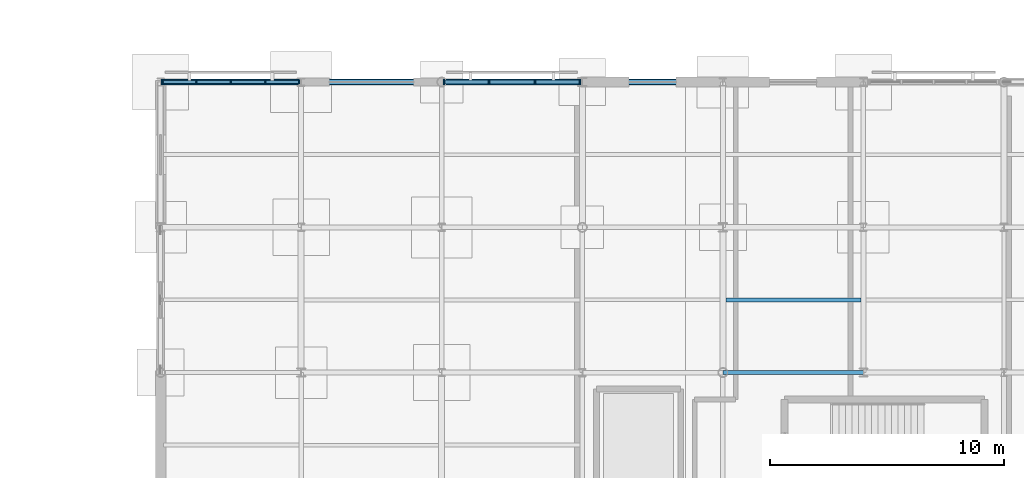
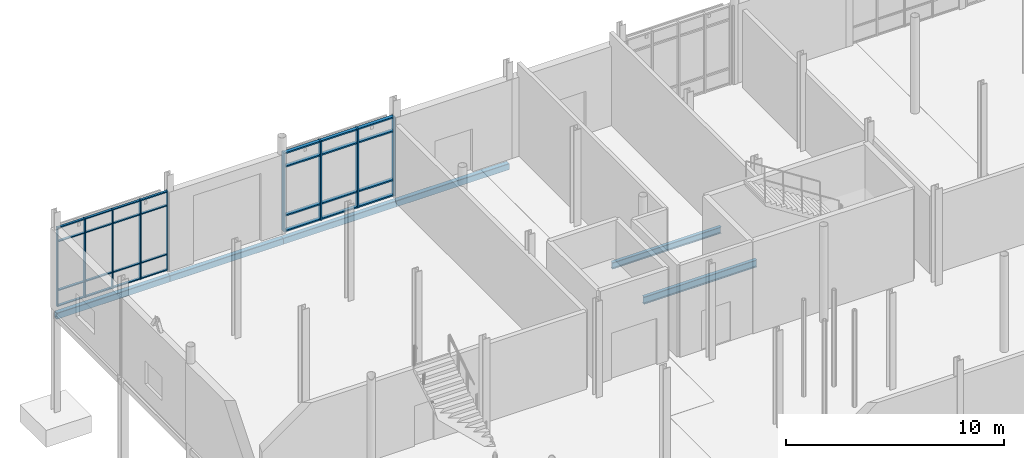
# One storey, part 40 of 98: 37 members, 6 beams, 2 elements without a shape of their own.
"""IFC4 building model written with IfcOpenShell, lengths in metres."""

from ifc_helpers import new_model, si_unit, direction, frame, origin, origin_2d, place, context, subcontext, project, spatial, rectangle, hollow_rectangle, i_section, extrude, material, layer, layer_set, material_profile, profile_set, type_object, element, aggregate, save


model = new_model("IFC4")

# Units and contexts
model_context = context("Model", 3, precision=1e-05, world=origin(), true_north=direction((0.0, 1.0)))
body_context = subcontext(model_context, "Body", "Model", "MODEL_VIEW")
ifc_project = project(units=[si_unit("LENGTHUNIT", "METRE"), si_unit("AREAUNIT", "SQUARE_METRE"), si_unit("VOLUMEUNIT", "CUBIC_METRE"), si_unit("PLANEANGLEUNIT", "RADIAN"), si_unit("MASSUNIT", "GRAM", prefix="KILO")], contexts=[model_context])

# Site, building, storey
site_placement = place(None, origin())
site = spatial("IfcSite", under=ifc_project, at=site_placement, CompositionType="ELEMENT")
building_placement = place(site_placement, origin())
building = spatial("IfcBuilding", under=site, at=building_placement, Name="Mirzam Square Science Centre", CompositionType="ELEMENT")
storey_placement = place(building_placement, origin())
storey = spatial("IfcBuildingStorey", under=building, at=storey_placement, Name="L00", CompositionType="ELEMENT", Elevation=0.0)

# Beam
ifc_material_1 = material(Name="Steel S355", Category="steel")
ifc_material_profile_1 = material_profile(ifc_material_1, i_section(OverallWidth=0.1787109375, OverallDepth=0.409423828125, WebThickness=0.0087890625, FlangeThickness=0.014404296875, FilletRadius=0.01025390625, at=origin_2d()), Name="406x178x67UB")
ifc_profile_set_1 = profile_set([ifc_material_profile_1], Name="Steel S355")
beam_type_1 = type_object("IfcBeamType", Name="BM-UB406", PredefinedType="BEAM", material=ifc_profile_set_1)
beam_1_placement = place(storey_placement, frame((24.0, 68.199951171875, -0.504638671875), z_axis=(1.0, 0.0, 0.0), x_axis=(0.0, 1.0, 0.0)))
element("IfcBeam", 1, at=beam_1_placement, inside=storey, type_object=beam_type_1, Name="L00 girder X5-12", PredefinedType="BEAM", context=body_context, shape_type="SweptSolid", body=[
    extrude(i_section(OverallWidth=0.1787109375, OverallDepth=0.409423828125, WebThickness=0.0087890625, FlangeThickness=0.014404296875, FilletRadius=0.01025390625, at=origin_2d()), origin(), (0.0, 0.0, 1.0), 6.0),
])

# Curtain wall, members
ifc_material_2 = material(Name="Anodised Aluminium and Low-E Solar Glass", Category="aluminium")
ifc_layer_1 = layer(ifc_material_2, 0.159912109375)
ifc_layer_set_1 = layer_set([ifc_layer_1], Name="CW-COURT-B")
curtain_wall_type_1 = type_object("IfcCurtainWallType", Name="CW-COURT-B", PredefinedType="USERDEFINED", material=ifc_layer_set_1)
curtain_wall_1_placement = place(storey_placement, origin())
curtain_wall_1 = element("IfcCurtainWall", 2, at=curtain_wall_1_placement, inside=storey, type_object=curtain_wall_type_1, Name="L00 unitised curtain wall 1", ObjectType="UNITISED CURTAIN WALL", PredefinedType="USERDEFINED")
ifc_material_3 = material(Name="Anodised Architectural Aluminium 6063-T6", Category="aluminium")
ifc_material_profile_2 = material_profile(ifc_material_3, rectangle(XDim=0.06005859375, YDim=0.159912109375, at=origin_2d()), Name="ALU-MULL-160x60x4")
ifc_profile_set_2 = profile_set([ifc_material_profile_2], Name="Anodised Architectural Aluminium 6063-T6")
member_type_1 = type_object("IfcMemberType", Name="CWM-160", PredefinedType="MULLION", material=ifc_profile_set_2)
member_1_placement = place(storey_placement, frame((5.9150390625, 80.60009765625, 0.0), z_axis=(0.0, 0.0, 1.0), x_axis=(-1.0, 0.0, 0.0)))
member_1 = element("IfcMember", 3, at=member_1_placement, type_object=member_type_1, Name="CW-04 mullion 1", PredefinedType="MULLION", context=body_context, shape_type="SweptSolid", body=[
    extrude(rectangle(XDim=0.06005859375, YDim=0.159912109375, at=origin_2d()), origin(), (0.0, 0.0, 1.0), 4.43994140625),
])
member_2_placement = place(storey_placement, frame((4.472412109375, 80.60009765625, 0.0), z_axis=(0.0, 0.0, 1.0), x_axis=(-1.0, 0.0, 0.0)))
member_2 = element("IfcMember", 4, at=member_2_placement, type_object=member_type_1, Name="CW-04 mullion 2", PredefinedType="MULLION", context=body_context, shape_type="SweptSolid", body=[
    extrude(rectangle(XDim=0.06005859375, YDim=0.159912109375, at=origin_2d()), origin(), (0.0, 0.0, 1.0), 4.43994140625),
])
member_3_placement = place(storey_placement, frame((3.0, 80.60009765625, 0.0), z_axis=(0.0, 0.0, 1.0), x_axis=(-1.0, 0.0, 0.0)))
member_3 = element("IfcMember", 5, at=member_3_placement, type_object=member_type_1, Name="CW-04 mullion 3", PredefinedType="MULLION", context=body_context, shape_type="SweptSolid", body=[
    extrude(rectangle(XDim=0.06005859375, YDim=0.159912109375, at=origin_2d()), origin(), (0.0, 0.0, 1.0), 4.43994140625),
])
member_4_placement = place(storey_placement, frame((1.527587890625, 80.60009765625, 0.0), z_axis=(0.0, 0.0, 1.0), x_axis=(-1.0, 0.0, 0.0)))
member_4 = element("IfcMember", 6, at=member_4_placement, type_object=member_type_1, Name="CW-04 mullion 4", PredefinedType="MULLION", context=body_context, shape_type="SweptSolid", body=[
    extrude(rectangle(XDim=0.06005859375, YDim=0.159912109375, at=origin_2d()), origin(), (0.0, 0.0, 1.0), 4.43994140625),
])
member_5_placement = place(storey_placement, frame((0.0849609375, 80.60009765625, 0.0), z_axis=(0.0, 0.0, 1.0), x_axis=(-1.0, 0.0, 0.0)))
member_5 = element("IfcMember", 7, at=member_5_placement, type_object=member_type_1, Name="CW-04 mullion 5", PredefinedType="MULLION", context=body_context, shape_type="SweptSolid", body=[
    extrude(rectangle(XDim=0.06005859375, YDim=0.159912109375, at=origin_2d()), origin(), (0.0, 0.0, 1.0), 4.43994140625),
])

ifc_layer_2 = layer(ifc_material_2, 0.239990234375)
ifc_layer_set_2 = layer_set([ifc_layer_2], Name="CW-EAST-B")
curtain_wall_type_2 = type_object("IfcCurtainWallType", Name="CW-EAST-B", PredefinedType="USERDEFINED", material=ifc_layer_set_2)
curtain_wall_2_placement = place(storey_placement, origin())
curtain_wall_2 = element("IfcCurtainWall", 8, at=curtain_wall_2_placement, inside=storey, type_object=curtain_wall_type_2, Name="L00 unitised curtain wall 2", ObjectType="UNITISED CURTAIN WALL", PredefinedType="USERDEFINED")
ifc_material_profile_3 = material_profile(ifc_material_3, rectangle(XDim=0.074951171875, YDim=0.239990234375, at=origin_2d()), Name="ALU-MULL-240x75x5")
ifc_profile_set_3 = profile_set([ifc_material_profile_3], Name="Anodised Architectural Aluminium 6063-T6")
member_type_2 = type_object("IfcMemberType", Name="CWM-240", PredefinedType="MULLION", material=ifc_profile_set_3)
member_6_placement = place(storey_placement, frame((17.907470703125, 80.60009765625, 0.0), z_axis=(0.0, 0.0, 1.0), x_axis=(-1.0, 0.0, 0.0)))
member_6 = element("IfcMember", 9, at=member_6_placement, type_object=member_type_2, Name="CW-06 mullion 1", PredefinedType="MULLION", context=body_context, shape_type="SweptSolid", body=[
    extrude(rectangle(XDim=0.074951171875, YDim=0.239990234375, at=origin_2d()), origin(), (0.0, 0.0, 1.0), 4.43994140625),
])
member_7_placement = place(storey_placement, frame((15.981689453125, 80.60009765625, 0.0), z_axis=(0.0, 0.0, 1.0), x_axis=(-1.0, 0.0, 0.0)))
member_7 = element("IfcMember", 10, at=member_7_placement, type_object=member_type_2, Name="CW-06 mullion 2", PredefinedType="MULLION", context=body_context, shape_type="SweptSolid", body=[
    extrude(rectangle(XDim=0.074951171875, YDim=0.239990234375, at=origin_2d()), origin(), (0.0, 0.0, 1.0), 4.43994140625),
])
member_8_placement = place(storey_placement, frame((14.018310546875, 80.60009765625, 0.0), z_axis=(0.0, 0.0, 1.0), x_axis=(-1.0, 0.0, 0.0)))
member_8 = element("IfcMember", 11, at=member_8_placement, type_object=member_type_2, Name="CW-06 mullion 3", PredefinedType="MULLION", context=body_context, shape_type="SweptSolid", body=[
    extrude(rectangle(XDim=0.074951171875, YDim=0.239990234375, at=origin_2d()), origin(), (0.0, 0.0, 1.0), 4.43994140625),
])
member_9_placement = place(storey_placement, frame((12.092529296875, 80.60009765625, 0.0), z_axis=(0.0, 0.0, 1.0), x_axis=(-1.0, 0.0, 0.0)))
member_9 = element("IfcMember", 12, at=member_9_placement, type_object=member_type_2, Name="CW-06 mullion 4", PredefinedType="MULLION", context=body_context, shape_type="SweptSolid", body=[
    extrude(rectangle(XDim=0.074951171875, YDim=0.239990234375, at=origin_2d()), origin(), (0.0, 0.0, 1.0), 4.43994140625),
])

# Member
ifc_material_profile_4 = material_profile(ifc_material_3, rectangle(XDim=0.1201171875, YDim=0.06005859375, at=origin_2d()), Name="ALU-TRAN-120x60x4")
ifc_profile_set_4 = profile_set([ifc_material_profile_4], Name="Anodised Architectural Aluminium 6063-T6")
member_type_3 = type_object("IfcMemberType", Name="CWT-120", PredefinedType="USERDEFINED", material=ifc_profile_set_4)
member_10_placement = place(storey_placement, frame((5.885009765625, 80.60009765625, 0.030029296875), z_axis=(-1.0, 0.0, 0.0), x_axis=(0.0, -1.0, 0.0)))
member_10 = element("IfcMember", 13, at=member_10_placement, type_object=member_type_3, Name="CW-04 transom 1.1", ObjectType="TRANSOM", PredefinedType="USERDEFINED", context=body_context, shape_type="SweptSolid", body=[
    extrude(rectangle(XDim=0.1201171875, YDim=0.06005859375, at=origin_2d()), origin(), (0.0, 0.0, 1.0), 1.382568359375),
])

member_11_placement = place(storey_placement, frame((5.885009765625, 80.60009765625, 0.89990234375), z_axis=(-1.0, 0.0, 0.0), x_axis=(0.0, -1.0, 0.0)))
member_11 = element("IfcMember", 14, at=member_11_placement, type_object=member_type_3, Name="CW-04 transom 1.2", ObjectType="TRANSOM", PredefinedType="USERDEFINED", context=body_context, shape_type="SweptSolid", body=[
    extrude(rectangle(XDim=0.1201171875, YDim=0.06005859375, at=origin_2d()), origin(), (0.0, 0.0, 1.0), 1.382568359375),
])

member_12_placement = place(storey_placement, frame((5.885009765625, 80.60009765625, 3.639892578125), z_axis=(-1.0, 0.0, 0.0), x_axis=(0.0, -1.0, 0.0)))
member_12 = element("IfcMember", 15, at=member_12_placement, type_object=member_type_3, Name="CW-04 transom 1.3", ObjectType="TRANSOM", PredefinedType="USERDEFINED", context=body_context, shape_type="SweptSolid", body=[
    extrude(rectangle(XDim=0.1201171875, YDim=0.06005859375, at=origin_2d()), origin(), (0.0, 0.0, 1.0), 1.382568359375),
])

member_13_placement = place(storey_placement, frame((5.885009765625, 80.60009765625, 4.409912109375), z_axis=(-1.0, 0.0, 0.0), x_axis=(0.0, -1.0, 0.0)))
member_13 = element("IfcMember", 16, at=member_13_placement, type_object=member_type_3, Name="CW-04 transom 1.4", ObjectType="TRANSOM", PredefinedType="USERDEFINED", context=body_context, shape_type="SweptSolid", body=[
    extrude(rectangle(XDim=0.1201171875, YDim=0.06005859375, at=origin_2d()), origin(), (0.0, 0.0, 1.0), 1.382568359375),
])

member_14_placement = place(storey_placement, frame((4.4423828125, 80.60009765625, 0.030029296875), z_axis=(-1.0, 0.0, 0.0), x_axis=(0.0, -1.0, 0.0)))
member_14 = element("IfcMember", 17, at=member_14_placement, type_object=member_type_3, Name="CW-04 transom 2.1", ObjectType="TRANSOM", PredefinedType="USERDEFINED", context=body_context, shape_type="SweptSolid", body=[
    extrude(rectangle(XDim=0.1201171875, YDim=0.06005859375, at=origin_2d()), origin(), (0.0, 0.0, 1.0), 1.412353515625),
])

member_15_placement = place(storey_placement, frame((4.4423828125, 80.60009765625, 0.89990234375), z_axis=(-1.0, 0.0, 0.0), x_axis=(0.0, -1.0, 0.0)))
member_15 = element("IfcMember", 18, at=member_15_placement, type_object=member_type_3, Name="CW-04 transom 2.2", ObjectType="TRANSOM", PredefinedType="USERDEFINED", context=body_context, shape_type="SweptSolid", body=[
    extrude(rectangle(XDim=0.1201171875, YDim=0.06005859375, at=origin_2d()), origin(), (0.0, 0.0, 1.0), 1.412353515625),
])

member_16_placement = place(storey_placement, frame((4.4423828125, 80.60009765625, 3.639892578125), z_axis=(-1.0, 0.0, 0.0), x_axis=(0.0, -1.0, 0.0)))
member_16 = element("IfcMember", 19, at=member_16_placement, type_object=member_type_3, Name="CW-04 transom 2.3", ObjectType="TRANSOM", PredefinedType="USERDEFINED", context=body_context, shape_type="SweptSolid", body=[
    extrude(rectangle(XDim=0.1201171875, YDim=0.06005859375, at=origin_2d()), origin(), (0.0, 0.0, 1.0), 1.412353515625),
])

member_17_placement = place(storey_placement, frame((4.4423828125, 80.60009765625, 4.409912109375), z_axis=(-1.0, 0.0, 0.0), x_axis=(0.0, -1.0, 0.0)))
member_17 = element("IfcMember", 20, at=member_17_placement, type_object=member_type_3, Name="CW-04 transom 2.4", ObjectType="TRANSOM", PredefinedType="USERDEFINED", context=body_context, shape_type="SweptSolid", body=[
    extrude(rectangle(XDim=0.1201171875, YDim=0.06005859375, at=origin_2d()), origin(), (0.0, 0.0, 1.0), 1.412353515625),
])

member_18_placement = place(storey_placement, frame((2.969970703125, 80.60009765625, 0.030029296875), z_axis=(-1.0, 0.0, 0.0), x_axis=(0.0, -1.0, 0.0)))
member_18 = element("IfcMember", 21, at=member_18_placement, type_object=member_type_3, Name="CW-04 transom 3.1", ObjectType="TRANSOM", PredefinedType="USERDEFINED", context=body_context, shape_type="SweptSolid", body=[
    extrude(rectangle(XDim=0.1201171875, YDim=0.06005859375, at=origin_2d()), origin(), (0.0, 0.0, 1.0), 1.412353515625),
])

member_19_placement = place(storey_placement, frame((2.969970703125, 80.60009765625, 0.89990234375), z_axis=(-1.0, 0.0, 0.0), x_axis=(0.0, -1.0, 0.0)))
member_19 = element("IfcMember", 22, at=member_19_placement, type_object=member_type_3, Name="CW-04 transom 3.2", ObjectType="TRANSOM", PredefinedType="USERDEFINED", context=body_context, shape_type="SweptSolid", body=[
    extrude(rectangle(XDim=0.1201171875, YDim=0.06005859375, at=origin_2d()), origin(), (0.0, 0.0, 1.0), 1.412353515625),
])

member_20_placement = place(storey_placement, frame((2.969970703125, 80.60009765625, 3.639892578125), z_axis=(-1.0, 0.0, 0.0), x_axis=(0.0, -1.0, 0.0)))
member_20 = element("IfcMember", 23, at=member_20_placement, type_object=member_type_3, Name="CW-04 transom 3.3", ObjectType="TRANSOM", PredefinedType="USERDEFINED", context=body_context, shape_type="SweptSolid", body=[
    extrude(rectangle(XDim=0.1201171875, YDim=0.06005859375, at=origin_2d()), origin(), (0.0, 0.0, 1.0), 1.412353515625),
])

member_21_placement = place(storey_placement, frame((2.969970703125, 80.60009765625, 4.409912109375), z_axis=(-1.0, 0.0, 0.0), x_axis=(0.0, -1.0, 0.0)))
member_21 = element("IfcMember", 24, at=member_21_placement, type_object=member_type_3, Name="CW-04 transom 3.4", ObjectType="TRANSOM", PredefinedType="USERDEFINED", context=body_context, shape_type="SweptSolid", body=[
    extrude(rectangle(XDim=0.1201171875, YDim=0.06005859375, at=origin_2d()), origin(), (0.0, 0.0, 1.0), 1.412353515625),
])

member_22_placement = place(storey_placement, frame((1.49755859375, 80.60009765625, 0.030029296875), z_axis=(-1.0, 0.0, 0.0), x_axis=(0.0, -1.0, 0.0)))
member_22 = element("IfcMember", 25, at=member_22_placement, type_object=member_type_3, Name="CW-04 transom 4.1", ObjectType="TRANSOM", PredefinedType="USERDEFINED", context=body_context, shape_type="SweptSolid", body=[
    extrude(rectangle(XDim=0.1201171875, YDim=0.06005859375, at=origin_2d()), origin(), (0.0, 0.0, 1.0), 1.382568359375),
])

member_23_placement = place(storey_placement, frame((1.49755859375, 80.60009765625, 0.89990234375), z_axis=(-1.0, 0.0, 0.0), x_axis=(0.0, -1.0, 0.0)))
member_23 = element("IfcMember", 26, at=member_23_placement, type_object=member_type_3, Name="CW-04 transom 4.2", ObjectType="TRANSOM", PredefinedType="USERDEFINED", context=body_context, shape_type="SweptSolid", body=[
    extrude(rectangle(XDim=0.1201171875, YDim=0.06005859375, at=origin_2d()), origin(), (0.0, 0.0, 1.0), 1.382568359375),
])

member_24_placement = place(storey_placement, frame((1.49755859375, 80.60009765625, 3.639892578125), z_axis=(-1.0, 0.0, 0.0), x_axis=(0.0, -1.0, 0.0)))
member_24 = element("IfcMember", 27, at=member_24_placement, type_object=member_type_3, Name="CW-04 transom 4.3", ObjectType="TRANSOM", PredefinedType="USERDEFINED", context=body_context, shape_type="SweptSolid", body=[
    extrude(rectangle(XDim=0.1201171875, YDim=0.06005859375, at=origin_2d()), origin(), (0.0, 0.0, 1.0), 1.382568359375),
])

member_25_placement = place(storey_placement, frame((1.49755859375, 80.60009765625, 4.409912109375), z_axis=(-1.0, 0.0, 0.0), x_axis=(0.0, -1.0, 0.0)))
member_25 = element("IfcMember", 28, at=member_25_placement, type_object=member_type_3, Name="CW-04 transom 4.4", ObjectType="TRANSOM", PredefinedType="USERDEFINED", context=body_context, shape_type="SweptSolid", body=[
    extrude(rectangle(XDim=0.1201171875, YDim=0.06005859375, at=origin_2d()), origin(), (0.0, 0.0, 1.0), 1.382568359375),
])

aggregate(curtain_wall_1, [member_1, member_2, member_3, member_4, member_5, member_10, member_11, member_12, member_13, member_14, member_15, member_16, member_17, member_18, member_19, member_20, member_21, member_22, member_23, member_24, member_25])

ifc_material_profile_5 = material_profile(ifc_material_3, rectangle(XDim=0.179931640625, YDim=0.074951171875, at=origin_2d()), Name="ALU-TRAN-180x75x5")
ifc_profile_set_5 = profile_set([ifc_material_profile_5], Name="Anodised Architectural Aluminium 6063-T6")
member_type_4 = type_object("IfcMemberType", Name="CWT-180", PredefinedType="USERDEFINED", material=ifc_profile_set_5)
member_26_placement = place(storey_placement, frame((17.8701171875, 80.60009765625, 0.03759765625), z_axis=(-1.0, 0.0, 0.0), x_axis=(0.0, -1.0, 0.0)))
member_26 = element("IfcMember", 29, at=member_26_placement, type_object=member_type_4, Name="CW-06 transom 1.1", ObjectType="TRANSOM", PredefinedType="USERDEFINED", context=body_context, shape_type="SweptSolid", body=[
    extrude(rectangle(XDim=0.179931640625, YDim=0.074951171875, at=origin_2d()), origin(), (0.0, 0.0, 1.0), 1.850830078125),
])

member_27_placement = place(storey_placement, frame((17.8701171875, 80.60009765625, 0.89990234375), z_axis=(-1.0, 0.0, 0.0), x_axis=(0.0, -1.0, 0.0)))
member_27 = element("IfcMember", 30, at=member_27_placement, type_object=member_type_4, Name="CW-06 transom 1.2", ObjectType="TRANSOM", PredefinedType="USERDEFINED", context=body_context, shape_type="SweptSolid", body=[
    extrude(rectangle(XDim=0.179931640625, YDim=0.074951171875, at=origin_2d()), origin(), (0.0, 0.0, 1.0), 1.850830078125),
])

member_28_placement = place(storey_placement, frame((17.8701171875, 80.60009765625, 3.639892578125), z_axis=(-1.0, 0.0, 0.0), x_axis=(0.0, -1.0, 0.0)))
member_28 = element("IfcMember", 31, at=member_28_placement, type_object=member_type_4, Name="CW-06 transom 1.3", ObjectType="TRANSOM", PredefinedType="USERDEFINED", context=body_context, shape_type="SweptSolid", body=[
    extrude(rectangle(XDim=0.179931640625, YDim=0.074951171875, at=origin_2d()), origin(), (0.0, 0.0, 1.0), 1.850830078125),
])

member_29_placement = place(storey_placement, frame((17.8701171875, 80.60009765625, 4.402587890625), z_axis=(-1.0, 0.0, 0.0), x_axis=(0.0, -1.0, 0.0)))
member_29 = element("IfcMember", 32, at=member_29_placement, type_object=member_type_4, Name="CW-06 transom 1.4", ObjectType="TRANSOM", PredefinedType="USERDEFINED", context=body_context, shape_type="SweptSolid", body=[
    extrude(rectangle(XDim=0.179931640625, YDim=0.074951171875, at=origin_2d()), origin(), (0.0, 0.0, 1.0), 1.850830078125),
])

member_30_placement = place(storey_placement, frame((15.944091796875, 80.60009765625, 0.03759765625), z_axis=(-1.0, 0.0, 0.0), x_axis=(0.0, -1.0, 0.0)))
member_30 = element("IfcMember", 33, at=member_30_placement, type_object=member_type_4, Name="CW-06 transom 2.1", ObjectType="TRANSOM", PredefinedType="USERDEFINED", context=body_context, shape_type="SweptSolid", body=[
    extrude(rectangle(XDim=0.179931640625, YDim=0.074951171875, at=origin_2d()), origin(), (0.0, 0.0, 1.0), 1.88818359375),
])

member_31_placement = place(storey_placement, frame((15.944091796875, 80.60009765625, 0.89990234375), z_axis=(-1.0, 0.0, 0.0), x_axis=(0.0, -1.0, 0.0)))
member_31 = element("IfcMember", 34, at=member_31_placement, type_object=member_type_4, Name="CW-06 transom 2.2", ObjectType="TRANSOM", PredefinedType="USERDEFINED", context=body_context, shape_type="SweptSolid", body=[
    extrude(rectangle(XDim=0.179931640625, YDim=0.074951171875, at=origin_2d()), origin(), (0.0, 0.0, 1.0), 1.88818359375),
])

member_32_placement = place(storey_placement, frame((15.944091796875, 80.60009765625, 3.639892578125), z_axis=(-1.0, 0.0, 0.0), x_axis=(0.0, -1.0, 0.0)))
member_32 = element("IfcMember", 35, at=member_32_placement, type_object=member_type_4, Name="CW-06 transom 2.3", ObjectType="TRANSOM", PredefinedType="USERDEFINED", context=body_context, shape_type="SweptSolid", body=[
    extrude(rectangle(XDim=0.179931640625, YDim=0.074951171875, at=origin_2d()), origin(), (0.0, 0.0, 1.0), 1.88818359375),
])

member_33_placement = place(storey_placement, frame((15.944091796875, 80.60009765625, 4.402587890625), z_axis=(-1.0, 0.0, 0.0), x_axis=(0.0, -1.0, 0.0)))
member_33 = element("IfcMember", 36, at=member_33_placement, type_object=member_type_4, Name="CW-06 transom 2.4", ObjectType="TRANSOM", PredefinedType="USERDEFINED", context=body_context, shape_type="SweptSolid", body=[
    extrude(rectangle(XDim=0.179931640625, YDim=0.074951171875, at=origin_2d()), origin(), (0.0, 0.0, 1.0), 1.88818359375),
])

member_34_placement = place(storey_placement, frame((13.980712890625, 80.60009765625, 0.03759765625), z_axis=(-1.0, 0.0, 0.0), x_axis=(0.0, -1.0, 0.0)))
member_34 = element("IfcMember", 37, at=member_34_placement, type_object=member_type_4, Name="CW-06 transom 3.1", ObjectType="TRANSOM", PredefinedType="USERDEFINED", context=body_context, shape_type="SweptSolid", body=[
    extrude(rectangle(XDim=0.179931640625, YDim=0.074951171875, at=origin_2d()), origin(), (0.0, 0.0, 1.0), 1.850830078125),
])

member_35_placement = place(storey_placement, frame((13.980712890625, 80.60009765625, 0.89990234375), z_axis=(-1.0, 0.0, 0.0), x_axis=(0.0, -1.0, 0.0)))
member_35 = element("IfcMember", 38, at=member_35_placement, type_object=member_type_4, Name="CW-06 transom 3.2", ObjectType="TRANSOM", PredefinedType="USERDEFINED", context=body_context, shape_type="SweptSolid", body=[
    extrude(rectangle(XDim=0.179931640625, YDim=0.074951171875, at=origin_2d()), origin(), (0.0, 0.0, 1.0), 1.850830078125),
])

member_36_placement = place(storey_placement, frame((13.980712890625, 80.60009765625, 3.639892578125), z_axis=(-1.0, 0.0, 0.0), x_axis=(0.0, -1.0, 0.0)))
member_36 = element("IfcMember", 39, at=member_36_placement, type_object=member_type_4, Name="CW-06 transom 3.3", ObjectType="TRANSOM", PredefinedType="USERDEFINED", context=body_context, shape_type="SweptSolid", body=[
    extrude(rectangle(XDim=0.179931640625, YDim=0.074951171875, at=origin_2d()), origin(), (0.0, 0.0, 1.0), 1.850830078125),
])

member_37_placement = place(storey_placement, frame((13.980712890625, 80.60009765625, 4.402587890625), z_axis=(-1.0, 0.0, 0.0), x_axis=(0.0, -1.0, 0.0)))
member_37 = element("IfcMember", 40, at=member_37_placement, type_object=member_type_4, Name="CW-06 transom 3.4", ObjectType="TRANSOM", PredefinedType="USERDEFINED", context=body_context, shape_type="SweptSolid", body=[
    extrude(rectangle(XDim=0.179931640625, YDim=0.074951171875, at=origin_2d()), origin(), (0.0, 0.0, 1.0), 1.850830078125),
])

aggregate(curtain_wall_2, [member_6, member_7, member_8, member_9, member_26, member_27, member_28, member_29, member_30, member_31, member_32, member_33, member_34, member_35, member_36, member_37])

# Beams
ifc_material_profile_6 = material_profile(ifc_material_1, i_section(OverallWidth=0.172119140625, OverallDepth=0.35791015625, WebThickness=0.008056640625, FlangeThickness=0.012939453125, FilletRadius=0.01025390625, at=origin_2d()), Name="356x171x57UB")
ifc_profile_set_6 = profile_set([ifc_material_profile_6], Name="Steel S355")
beam_type_2 = type_object("IfcBeamType", Name="JS-UB356", PredefinedType="JOIST", material=ifc_profile_set_6)
beam_2_placement = place(storey_placement, frame((24.127197265625, 71.300048828125, -0.47900390625), z_axis=(1.0, 0.0, 0.0), x_axis=(0.0, 1.0, 0.0)))
element("IfcBeam", 41, at=beam_2_placement, inside=storey, type_object=beam_type_2, Name="L00 composite joist 5-12", PredefinedType="JOIST", context=body_context, shape_type="SweptSolid", body=[
    extrude(i_section(OverallWidth=0.172119140625, OverallDepth=0.35791015625, WebThickness=0.008056640625, FlangeThickness=0.012939453125, FilletRadius=0.01025390625, at=origin_2d()), origin(), (0.0, 0.0, 1.0), 5.767822265625),
])
ifc_material_profile_7 = material_profile(ifc_material_1, hollow_rectangle(XDim=0.25, YDim=0.35009765625, WallThickness=0.012451171875, InnerFilletRadius=0.012451171875, OuterFilletRadius=0.02490234375, at=origin_2d()), Name="350x250x12.5RHS")
ifc_profile_set_7 = profile_set([ifc_material_profile_7], Name="Steel S355")
beam_type_3 = type_object("IfcBeamType", Name="SP-RHS350", PredefinedType="SPANDREL", material=ifc_profile_set_7)
for number, where, z_axis, x_axis, name in (
    (42, (0.0, 80.60009765625, -0.47509765625), (1.0, 0.0, 0.0), (0.0, 1.0, 0.0), "L00 girder X1-14"),
    (43, (6.0, 80.60009765625, -0.47509765625), (1.0, 0.0, 0.0), (0.0, 1.0, 0.0), "L00 girder X2-14"),
    (44, (12.0, 80.60009765625, -0.47509765625), (1.0, 0.0, 0.0), (0.0, 1.0, 0.0), "L00 girder X3-14"),
    (45, (18.0, 80.60009765625, -0.47509765625), (1.0, 0.0, 0.0), (0.0, 1.0, 0.0), "L00 girder X4-14"),
):
    element("IfcBeam", number, at=place(storey_placement, frame(where, z_axis=z_axis, x_axis=x_axis)), inside=storey, type_object=beam_type_3, Name=name, PredefinedType="SPANDREL", context=body_context, shape_type="SweptSolid", body=[
        extrude(hollow_rectangle(XDim=0.25, YDim=0.35009765625, WallThickness=0.012451171875, InnerFilletRadius=0.012451171875, OuterFilletRadius=0.02490234375, at=origin_2d()), origin(), (0.0, 0.0, 1.0), 6.0),
    ])

save(model, "model.ifc")
